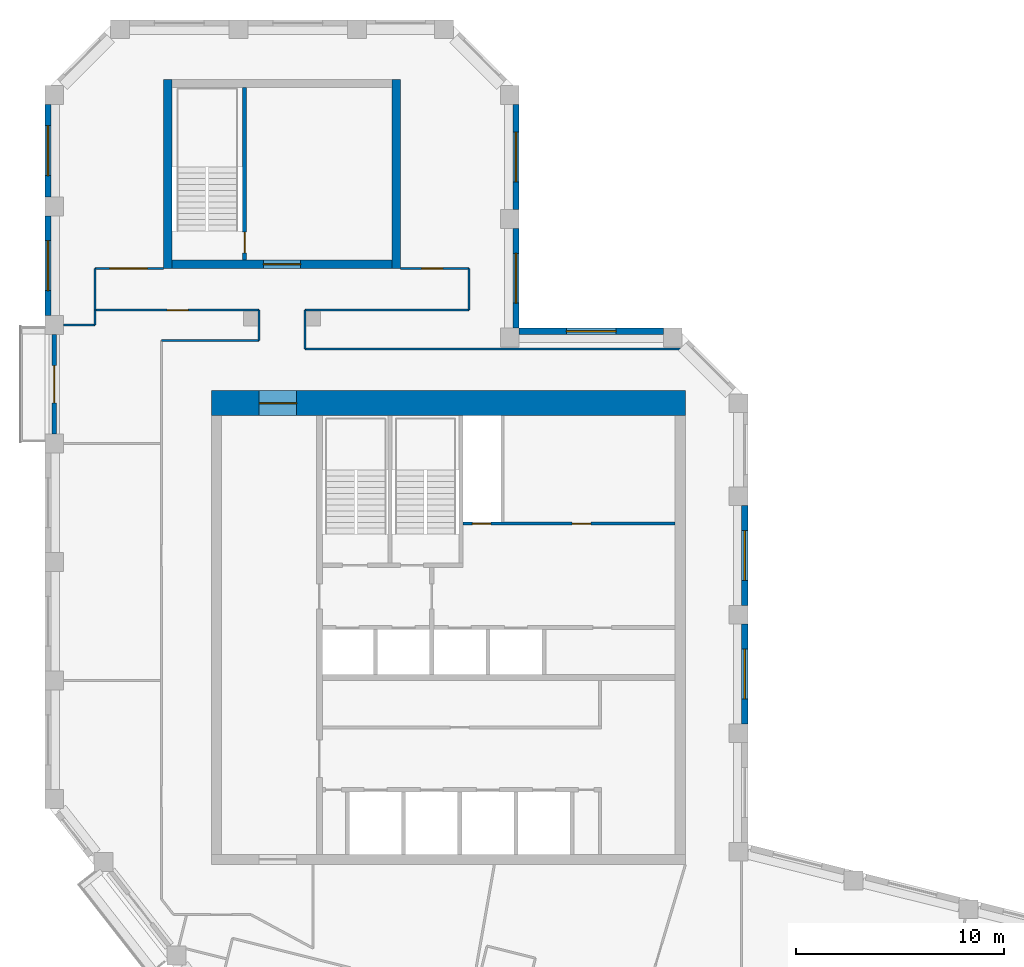
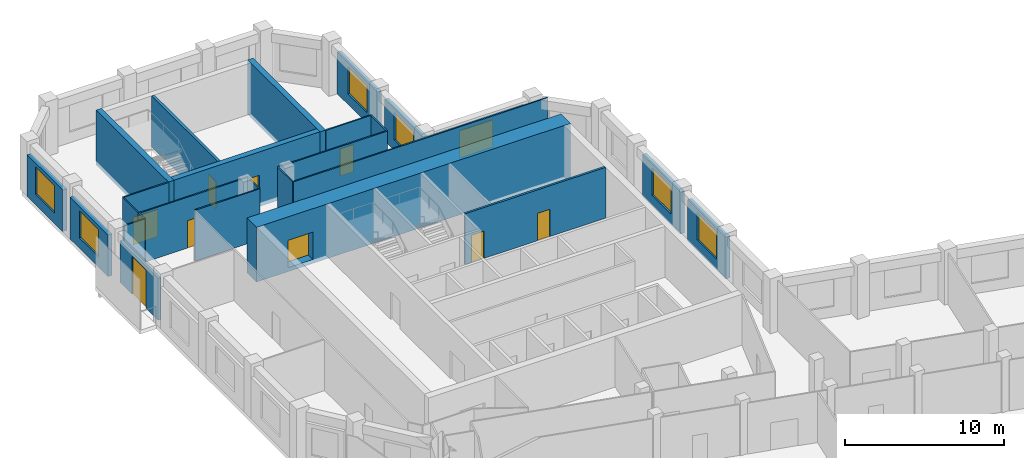
# One storey, part 6 of 8: 26 walls, 9 doors, 7 windows, 16 openings.
"""IFC4 building model written with IfcOpenShell, lengths in metres."""

from ifc_helpers import new_model, si_unit, direction, frame, frame_2d, origin, place, context, subcontext, project, spatial, rectangle, extrude, material, layer, layer_set, type_object, element, fill, save


model = new_model("IFC4")

# Units and contexts
model_context = context("Model", 3, precision=1e-05, world=origin(), true_north=direction((0.0, 1.0)))
body_context = subcontext(model_context, "Body", "Model", "MODEL_VIEW")
ifc_project = project(units=[si_unit("LENGTHUNIT", "METRE"), si_unit("AREAUNIT", "SQUARE_METRE"), si_unit("VOLUMEUNIT", "CUBIC_METRE"), si_unit("PLANEANGLEUNIT", "RADIAN"), si_unit("MASSUNIT", "GRAM", prefix="KILO")], contexts=[model_context])

# Site, building, storey
site_placement = place(None, origin())
site = spatial("IfcSite", under=ifc_project, at=site_placement, CompositionType="ELEMENT")
building_placement = place(site_placement, origin())
building = spatial("IfcBuilding", under=site, at=building_placement, Name="Meshkara Civic Tower", CompositionType="ELEMENT")
storey_placement = place(building_placement, frame((0.0, 0.0, 379.199951171875)))
storey = spatial("IfcBuildingStorey", under=building, at=storey_placement, Name="L87", CompositionType="ELEMENT", Elevation=379.199951171875)

# Wall, openings, doors
ifc_material_1 = material(Name="Blockwork", Category="masonry")
ifc_layer_1 = layer(ifc_material_1, 0.14990234375)
ifc_layer_set_1 = layer_set([ifc_layer_1], Name="Core partition 150")
wall_type_1 = type_object("IfcWallType", Name="Core partition 150", PredefinedType="PARTITIONING", material=ifc_layer_set_1)
wall_1_placement = place(storey_placement, frame((20.10009765625, 30.5, 0.0), z_axis=(0.0, 0.0, 1.0), x_axis=(1.0, 0.0, 0.0)))
wall_1 = element("IfcWall", 1, at=wall_1_placement, inside=storey, type_object=wall_type_1, Name="L87-C010", PredefinedType="PARTITIONING", context=body_context, shape_type="SweptSolid", body=[
    extrude(rectangle(XDim=10.199951171875, YDim=0.14990234375, at=frame_2d((5.10009765625, 0.0))), origin(), (0.0, 0.0, 1.0), 3.900146484375),
])
opening_1_placement = place(wall_1_placement, frame((0.449951171875, 0.0, 0.0)))
opening_1 = element("IfcOpeningElement", 2, at=opening_1_placement, cuts=wall_1, Name="Opening L87-K013", PredefinedType="OPENING", context=body_context, shape_type="SweptSolid", body=[
    extrude(rectangle(XDim=0.89990234375, YDim=2.10009765625, at=frame_2d((0.449951171875, 1.050048828125))), frame((0.0, 0.0849609375, 0.0), z_axis=(0.0, -1.0, 0.0), x_axis=(1.0, 0.0, 0.0)), (0.0, 0.0, 1.0), 0.169921875),
])
opening_2_placement = place(wall_1_placement, frame((5.25, 0.0, 0.0)))
opening_2 = element("IfcOpeningElement", 3, at=opening_2_placement, cuts=wall_1, Name="Opening L87-K014", PredefinedType="OPENING", context=body_context, shape_type="SweptSolid", body=[
    extrude(rectangle(XDim=0.89990234375, YDim=2.10009765625, at=frame_2d((0.449951171875, 1.050048828125))), frame((0.0, 0.0849609375, 0.0), z_axis=(0.0, -1.0, 0.0), x_axis=(1.0, 0.0, 0.0)), (0.0, 0.0, 1.0), 0.169921875),
])
ifc_material_2 = material(Name="Timber door leaf in steel frame", Category="steel")
door_type_1 = type_object("IfcDoorType", Name="Core room door 900", OperationType="SINGLE_SWING_LEFT", PredefinedType="DOOR", material=ifc_material_2)
door_1_placement = place(opening_2_placement, origin())
door_1 = element("IfcDoor", 4, at=door_1_placement, inside=storey, type_object=door_type_1, Name="L87-K014", OperationType="SINGLE_SWING_LEFT", OverallHeight=2.10009765625, OverallWidth=0.89990234375, PredefinedType="DOOR", context=body_context, shape_type="SweptSolid", body=[
    extrude(rectangle(XDim=0.89990234375, YDim=2.10009765625, at=frame_2d((0.449951171875, 1.050048828125))), frame((0.0, 0.02490234375, 0.0), z_axis=(0.0, -1.0, 0.0), x_axis=(1.0, 0.0, 0.0)), (0.0, 0.0, 1.0), 0.050048828125),
])
fill(opening_2, door_1)
ifc_material_3 = material(Name="Fire-rated door leaf in steel frame", Category="steel")
door_type_2 = type_object("IfcDoorType", Name="Riser door 900", OperationType="SINGLE_SWING_LEFT", PredefinedType="DOOR", material=ifc_material_3)
door_2_placement = place(opening_1_placement, origin())
door_2 = element("IfcDoor", 5, at=door_2_placement, inside=storey, type_object=door_type_2, Name="L87-K013", OperationType="SINGLE_SWING_RIGHT", OverallHeight=2.10009765625, OverallWidth=0.89990234375, PredefinedType="DOOR", context=body_context, shape_type="SweptSolid", body=[
    extrude(rectangle(XDim=0.89990234375, YDim=2.10009765625, at=frame_2d((0.449951171875, 1.050048828125))), frame((0.0, 0.02490234375, 0.0), z_axis=(0.0, -1.0, 0.0), x_axis=(1.0, 0.0, 0.0)), (0.0, 0.0, 1.0), 0.050048828125),
])
fill(opening_1, door_2)

# Wall, opening, door
ifc_material_4 = material(Name="Concrete C50", Category="concrete")
ifc_layer_2 = layer(ifc_material_4, 1.199951171875)
ifc_layer_set_2 = layer_set([ifc_layer_2], Name="Core ring wall 1200 C50")
wall_type_2 = type_object("IfcWallType", Name="Core ring wall 1200 C50", PredefinedType="SHEAR", material=ifc_layer_set_2)
wall_2_placement = place(storey_placement, frame((8.0, 36.300048828125, -0.300048828125), z_axis=(0.0, 0.0, 1.0), x_axis=(1.0, 0.0, 0.0)))
wall_2 = element("IfcWall", 6, at=wall_2_placement, inside=storey, type_object=wall_type_2, Name="L87-C002", PredefinedType="SHEAR", context=body_context, shape_type="SweptSolid", body=[
    extrude(rectangle(XDim=22.800048828125, YDim=1.199951171875, at=frame_2d((11.39990234375, 0.0))), origin(), (0.0, 0.0, 1.0), 4.2001953125),
])
opening_3_placement = place(wall_2_placement, frame((2.300048828125, 0.0, 0.300048828125)))
opening_3 = element("IfcOpeningElement", 7, at=opening_3_placement, cuts=wall_2, Name="Opening L87-K020", PredefinedType="OPENING", context=body_context, shape_type="SweptSolid", body=[
    extrude(rectangle(XDim=1.800048828125, YDim=2.10009765625, at=frame_2d((0.89990234375, 1.050048828125))), frame((0.0, 0.60986328125, 0.0), z_axis=(0.0, -1.0, 0.0), x_axis=(1.0, 0.0, 0.0)), (0.0, 0.0, 1.0), 1.219970703125),
])
ifc_material_5 = material(Name="Fire-rated door leaf in steel frame", Category="steel")
door_type_3 = type_object("IfcDoorType", Name="Core double door 1800 EI 60", OperationType="DOUBLE_DOOR_SINGLE_SWING", PredefinedType="DOOR", material=ifc_material_5)
door_3_placement = place(opening_3_placement, origin())
door_3 = element("IfcDoor", 8, at=door_3_placement, inside=storey, type_object=door_type_3, Name="L87-K020", OperationType="DOUBLE_DOOR_SINGLE_SWING", OverallHeight=2.10009765625, OverallWidth=1.800048828125, PredefinedType="DOOR", context=body_context, shape_type="SweptSolid", body=[
    extrude(rectangle(XDim=1.800048828125, YDim=2.10009765625, at=frame_2d((0.89990234375, 1.050048828125))), frame((0.0, 0.02490234375, 0.0), z_axis=(0.0, -1.0, 0.0), x_axis=(1.0, 0.0, 0.0)), (0.0, 0.0, 1.0), 0.050048828125),
])
fill(opening_3, door_3)

ifc_material_6 = material(Name="Corridor wall 100")
ifc_layer_3 = layer(ifc_material_6, 0.10009765625)
ifc_layer_set_3 = layer_set([ifc_layer_3], Name="Corridor wall 100")
wall_type_3 = type_object("IfcWallType", Name="Corridor wall 100", PredefinedType="PARTITIONING", material=ifc_layer_set_3)
wall_3_placement = place(storey_placement, frame((2.39990234375, 40.77001953125, 0.0), z_axis=(0.0, 0.0, 1.0), x_axis=(1.0, 0.0, 0.0)))
wall_3 = element("IfcWall", 9, at=wall_3_placement, inside=storey, type_object=wall_type_3, Name="L87-W001", PredefinedType="PARTITIONING", context=body_context, shape_type="SweptSolid", body=[
    extrude(rectangle(XDim=7.900146484375, YDim=0.10009765625, at=frame_2d((3.9501953125, 0.0))), origin(), (0.0, 0.0, 1.0), 3.900146484375),
])
opening_4_placement = place(wall_3_placement, frame((3.47998046875, 0.0, 0.0)))
opening_4 = element("IfcOpeningElement", 10, at=opening_4_placement, cuts=wall_3, Name="Opening L87-D014", PredefinedType="OPENING", context=body_context, shape_type="SweptSolid", body=[
    extrude(rectangle(XDim=1.0, YDim=2.10009765625, at=frame_2d((0.5, 1.050048828125))), frame((0.0, 0.06005859375, 0.0), z_axis=(0.0, -1.0, 0.0), x_axis=(1.0, 0.0, 0.0)), (0.0, 0.0, 1.0), 0.1201171875),
])
ifc_material_7 = material(Name="Door 1000 x 2100")
door_type_4 = type_object("IfcDoorType", Name="Door 1000 x 2100", OperationType="SINGLE_SWING_LEFT", PredefinedType="DOOR", material=ifc_material_7)
door_4_placement = place(opening_4_placement, origin())
door_4 = element("IfcDoor", 11, at=door_4_placement, inside=storey, type_object=door_type_4, Name="L87-D014", OperationType="SINGLE_SWING_LEFT", OverallHeight=2.10009765625, OverallWidth=1.0, PredefinedType="DOOR", context=body_context, shape_type="SweptSolid", body=[
    extrude(rectangle(XDim=1.0, YDim=2.10009765625, at=frame_2d((0.5, 1.050048828125))), frame((0.0, 0.02490234375, 0.0), z_axis=(0.0, -1.0, 0.0), x_axis=(1.0, 0.0, 0.0)), (0.0, 0.0, 1.0), 0.050048828125),
])
fill(opening_4, door_4)

# Wall
wall_4_placement = place(storey_placement, frame((2.39990234375, 42.77001953125, 0.0), z_axis=(0.0, 0.0, 1.0), x_axis=(0.0, -1.0, 0.0)))
element("IfcWall", 12, at=wall_4_placement, inside=storey, type_object=wall_type_3, Name="L87-W002", PredefinedType="PARTITIONING", context=body_context, shape_type="SweptSolid", body=[
    extrude(rectangle(XDim=2.0, YDim=0.10009765625, at=frame_2d((1.0, 0.0))), origin(), (0.0, 0.0, 1.0), 3.900146484375),
])

# Wall, opening, door
wall_5_placement = place(storey_placement, frame((5.699951171875, 42.77001953125, 0.0), z_axis=(0.0, 0.0, 1.0), x_axis=(-1.0, 0.0, 0.0)))
wall_5 = element("IfcWall", 13, at=wall_5_placement, inside=storey, type_object=wall_type_3, Name="L87-W005", PredefinedType="PARTITIONING", context=body_context, shape_type="SweptSolid", body=[
    extrude(rectangle(XDim=3.300048828125, YDim=0.10009765625, at=frame_2d((1.64990234375, 0.0))), origin(), (0.0, 0.0, 1.0), 3.900146484375),
])
opening_5_placement = place(wall_5_placement, frame((0.780029296875, 0.0, 0.0)))
opening_5 = element("IfcOpeningElement", 14, at=opening_5_placement, cuts=wall_5, Name="Opening L87-D015", PredefinedType="OPENING", context=body_context, shape_type="SweptSolid", body=[
    extrude(rectangle(XDim=1.800048828125, YDim=2.10009765625, at=frame_2d((0.89990234375, 1.050048828125))), frame((0.0, 0.06005859375, 0.0), z_axis=(0.0, -1.0, 0.0), x_axis=(1.0, 0.0, 0.0)), (0.0, 0.0, 1.0), 0.1201171875),
])
ifc_material_8 = material(Name="Door pair 1800 x 2100")
door_type_5 = type_object("IfcDoorType", Name="Door pair 1800 x 2100", OperationType="SINGLE_SWING_LEFT", PredefinedType="DOOR", material=ifc_material_8)
door_5_placement = place(opening_5_placement, origin())
door_5 = element("IfcDoor", 15, at=door_5_placement, inside=storey, type_object=door_type_5, Name="L87-D015", OperationType="DOUBLE_DOOR_SINGLE_SWING", OverallHeight=2.10009765625, OverallWidth=1.800048828125, PredefinedType="DOOR", context=body_context, shape_type="SweptSolid", body=[
    extrude(rectangle(XDim=1.800048828125, YDim=2.10009765625, at=frame_2d((0.89990234375, 1.050048828125))), frame((0.0, 0.02490234375, 0.0), z_axis=(0.0, -1.0, 0.0), x_axis=(1.0, 0.0, 0.0)), (0.0, 0.0, 1.0), 0.050048828125),
])
fill(opening_5, door_5)

# Walls
wall_6_placement = place(storey_placement, frame((10.300048828125, 39.300048828125, 0.0), z_axis=(0.0, 0.0, 1.0), x_axis=(-1.0, 0.0, 0.0)))
element("IfcWall", 16, at=wall_6_placement, inside=storey, type_object=wall_type_3, Name="L87-W010", PredefinedType="PARTITIONING", context=body_context, shape_type="SweptSolid", body=[
    extrude(rectangle(XDim=4.699951171875, YDim=0.10009765625, at=frame_2d((2.35009765625, 0.0))), origin(), (0.0, 0.0, 1.0), 3.900146484375),
])
wall_7_placement = place(storey_placement, frame((10.300048828125, 40.77001953125, 0.0), z_axis=(0.0, 0.0, 1.0), x_axis=(0.0, -1.0, 0.0)))
element("IfcWall", 17, at=wall_7_placement, inside=storey, type_object=wall_type_3, Name="L87-W011", PredefinedType="PARTITIONING", context=body_context, shape_type="SweptSolid", body=[
    extrude(rectangle(XDim=1.469970703125, YDim=0.10009765625, at=frame_2d((0.73486328125, 0.0))), origin(), (0.0, 0.0, 1.0), 3.900146484375),
])
wall_8_placement = place(storey_placement, frame((12.5, 38.89990234375, 0.0), z_axis=(0.0, 0.0, 1.0), x_axis=(0.0, 1.0, 0.0)))
element("IfcWall", 18, at=wall_8_placement, inside=storey, type_object=wall_type_3, Name="L87-W012", PredefinedType="PARTITIONING", context=body_context, shape_type="SweptSolid", body=[
    extrude(rectangle(XDim=1.8701171875, YDim=0.10009765625, at=frame_2d((0.93505859375, 0.0))), origin(), (0.0, 0.0, 1.0), 3.900146484375),
])
wall_9_placement = place(storey_placement, frame((12.5, 40.77001953125, 0.0), z_axis=(0.0, 0.0, 1.0), x_axis=(1.0, 0.0, 0.0)))
element("IfcWall", 19, at=wall_9_placement, inside=storey, type_object=wall_type_3, Name="L87-W013", PredefinedType="PARTITIONING", context=body_context, shape_type="SweptSolid", body=[
    extrude(rectangle(XDim=7.89990234375, YDim=0.10009765625, at=frame_2d((3.949951171875, 0.0))), origin(), (0.0, 0.0, 1.0), 3.900146484375),
])
wall_10_placement = place(storey_placement, frame((20.39990234375, 40.77001953125, 0.0), z_axis=(0.0, 0.0, 1.0), x_axis=(0.0, 1.0, 0.0)))
element("IfcWall", 20, at=wall_10_placement, inside=storey, type_object=wall_type_3, Name="L87-W016", PredefinedType="PARTITIONING", context=body_context, shape_type="SweptSolid", body=[
    extrude(rectangle(XDim=2.0, YDim=0.10009765625, at=frame_2d((1.0, 0.0))), origin(), (0.0, 0.0, 1.0), 3.900146484375),
])

# Wall, opening, door
wall_11_placement = place(storey_placement, frame((20.39990234375, 42.77001953125, 0.0), z_axis=(0.0, 0.0, 1.0), x_axis=(-1.0, 0.0, 0.0)))
wall_11 = element("IfcWall", 21, at=wall_11_placement, inside=storey, type_object=wall_type_3, Name="L87-W017", PredefinedType="PARTITIONING", context=body_context, shape_type="SweptSolid", body=[
    extrude(rectangle(XDim=3.2998046875, YDim=0.10009765625, at=frame_2d((1.64990234375, 0.0))), origin(), (0.0, 0.0, 1.0), 3.900146484375),
])
opening_6_placement = place(wall_11_placement, frame((1.280029296875, 0.0, 0.0)))
opening_6 = element("IfcOpeningElement", 22, at=opening_6_placement, cuts=wall_11, Name="Opening L87-D016", PredefinedType="OPENING", context=body_context, shape_type="SweptSolid", body=[
    extrude(rectangle(XDim=1.0, YDim=2.10009765625, at=frame_2d((0.5, 1.050048828125))), frame((0.0, 0.06005859375, 0.0), z_axis=(0.0, -1.0, 0.0), x_axis=(1.0, 0.0, 0.0)), (0.0, 0.0, 1.0), 0.1201171875),
])
door_6_placement = place(opening_6_placement, origin())
door_6 = element("IfcDoor", 23, at=door_6_placement, inside=storey, type_object=door_type_4, Name="L87-D016", OperationType="SINGLE_SWING_LEFT", OverallHeight=2.10009765625, OverallWidth=1.0, PredefinedType="DOOR", context=body_context, shape_type="SweptSolid", body=[
    extrude(rectangle(XDim=1.0, YDim=2.10009765625, at=frame_2d((0.5, 1.050048828125))), frame((0.0, 0.02490234375, 0.0), z_axis=(0.0, -1.0, 0.0), x_axis=(1.0, 0.0, 0.0)), (0.0, 0.0, 1.0), 0.050048828125),
])
fill(opening_6, door_6)

# Wall
wall_12_placement = place(storey_placement, frame((30.9560546875, 38.89990234375, 0.0), z_axis=(0.0, 0.0, 1.0), x_axis=(-1.0, 0.0, 0.0)))
element("IfcWall", 24, at=wall_12_placement, inside=storey, type_object=wall_type_3, Name="L87-W023", PredefinedType="PARTITIONING", context=body_context, shape_type="SweptSolid", body=[
    extrude(rectangle(XDim=18.4560546875, YDim=0.10009765625, at=frame_2d((9.22802734375, 0.0))), origin(), (0.0, 0.0, 1.0), 3.900146484375),
])

# Wall, opening, window
ifc_material_9 = material(Name="Insulated infill panel with bronze anodised aluminium cladding", Category="aluminium")
ifc_layer_4 = layer(ifc_material_9, 0.300048828125)
ifc_layer_set_4 = layer_set([ifc_layer_4], Name="EXTERNAL INFILL WALL 300")
wall_type_4 = type_object("IfcWallType", Name="EXTERNAL INFILL WALL 300", PredefinedType="SOLIDWALL", material=ifc_layer_set_4)
wall_13_placement = place(storey_placement, frame((33.64990234375, 20.868896484375, 0.0), z_axis=(0.0, 0.0, 1.0), x_axis=(0.0, 1.0, 0.0)))
wall_13 = element("IfcWall", 25, at=wall_13_placement, inside=storey, type_object=wall_type_4, Name="External wall", PredefinedType="SOLIDWALL", context=body_context, shape_type="SweptSolid", body=[
    extrude(rectangle(XDim=4.800048828125, YDim=0.300048828125, at=frame_2d((2.39990234375, 0.0))), origin(), (0.0, 0.0, 1.0), 3.199951171875),
])
opening_7_placement = place(wall_13_placement, frame((1.199951171875, 0.0, 0.800048828125)))
opening_7 = element("IfcOpeningElement", 26, at=opening_7_placement, cuts=wall_13, Name="Opening W7", PredefinedType="OPENING", context=body_context, shape_type="SweptSolid", body=[
    extrude(rectangle(XDim=2.39990234375, YDim=2.10009765625, at=frame_2d((1.199951171875, 1.050048828125))), frame((0.0, 0.159912109375, 0.0), z_axis=(0.0, -1.0, 0.0), x_axis=(1.0, 0.0, 0.0)), (0.0, 0.0, 1.0), 0.320068359375),
])
ifc_material_10 = material(Name="Tinted double glazing", Category="glass")
window_type = type_object("IfcWindowType", Name="WINDOW 2400x2100", PartitioningType="DOUBLE_PANEL_VERTICAL", PredefinedType="WINDOW", material=ifc_material_10)
window_1_placement = place(opening_7_placement, origin())
window_1 = element("IfcWindow", 27, at=window_1_placement, inside=storey, type_object=window_type, Name="Window", OverallHeight=2.10009765625, OverallWidth=2.39990234375, PartitioningType="DOUBLE_PANEL_VERTICAL", PredefinedType="WINDOW", context=body_context, shape_type="SweptSolid", body=[
    extrude(rectangle(XDim=2.39990234375, YDim=2.10009765625, at=frame_2d((1.199951171875, 1.050048828125))), frame((0.0, 0.030029296875, 0.0), z_axis=(0.0, -1.0, 0.0), x_axis=(1.0, 0.0, 0.0)), (0.0, 0.0, 1.0), 0.06005859375),
])
fill(opening_7, window_1)

wall_14_placement = place(storey_placement, frame((33.64990234375, 26.569091796875, 0.0), z_axis=(0.0, 0.0, 1.0), x_axis=(0.0, 1.0, 0.0)))
wall_14 = element("IfcWall", 28, at=wall_14_placement, inside=storey, type_object=wall_type_4, Name="External wall", PredefinedType="SOLIDWALL", context=body_context, shape_type="SweptSolid", body=[
    extrude(rectangle(XDim=4.7998046875, YDim=0.300048828125, at=frame_2d((2.39990234375, 0.0))), origin(), (0.0, 0.0, 1.0), 3.199951171875),
])
opening_8_placement = place(wall_14_placement, frame((1.199951171875, 0.0, 0.800048828125)))
opening_8 = element("IfcOpeningElement", 29, at=opening_8_placement, cuts=wall_14, Name="Opening W7", PredefinedType="OPENING", context=body_context, shape_type="SweptSolid", body=[
    extrude(rectangle(XDim=2.39990234375, YDim=2.10009765625, at=frame_2d((1.199951171875, 1.050048828125))), frame((0.0, 0.159912109375, 0.0), z_axis=(0.0, -1.0, 0.0), x_axis=(1.0, 0.0, 0.0)), (0.0, 0.0, 1.0), 0.320068359375),
])
window_2_placement = place(opening_8_placement, origin())
window_2 = element("IfcWindow", 30, at=window_2_placement, inside=storey, type_object=window_type, Name="Window", OverallHeight=2.10009765625, OverallWidth=2.39990234375, PartitioningType="DOUBLE_PANEL_VERTICAL", PredefinedType="WINDOW", context=body_context, shape_type="SweptSolid", body=[
    extrude(rectangle(XDim=2.39990234375, YDim=2.10009765625, at=frame_2d((1.199951171875, 1.050048828125))), frame((0.0, 0.030029296875, 0.0), z_axis=(0.0, -1.0, 0.0), x_axis=(1.0, 0.0, 0.0)), (0.0, 0.0, 1.0), 0.06005859375),
])
fill(opening_8, window_2)

wall_15_placement = place(storey_placement, frame((29.743896484375, 39.75, 0.0), z_axis=(0.0, 0.0, 1.0), x_axis=(-1.0, 0.0, 0.0)))
wall_15 = element("IfcWall", 31, at=wall_15_placement, inside=storey, type_object=wall_type_4, Name="External wall", PredefinedType="SOLIDWALL", context=body_context, shape_type="SweptSolid", body=[
    extrude(rectangle(XDim=6.94384765625, YDim=0.300048828125, at=frame_2d((3.471923828125, 0.0))), origin(), (0.0, 0.0, 1.0), 3.199951171875),
])
opening_9_placement = place(wall_15_placement, frame((2.27197265625, 0.0, 0.800048828125)))
opening_9 = element("IfcOpeningElement", 32, at=opening_9_placement, cuts=wall_15, Name="Opening W7", PredefinedType="OPENING", context=body_context, shape_type="SweptSolid", body=[
    extrude(rectangle(XDim=2.39990234375, YDim=2.10009765625, at=frame_2d((1.199951171875, 1.050048828125))), frame((0.0, 0.159912109375, 0.0), z_axis=(0.0, -1.0, 0.0), x_axis=(1.0, 0.0, 0.0)), (0.0, 0.0, 1.0), 0.320068359375),
])
window_3_placement = place(opening_9_placement, origin())
window_3 = element("IfcWindow", 33, at=window_3_placement, inside=storey, type_object=window_type, Name="Window", OverallHeight=2.10009765625, OverallWidth=2.39990234375, PartitioningType="DOUBLE_PANEL_VERTICAL", PredefinedType="WINDOW", context=body_context, shape_type="SweptSolid", body=[
    extrude(rectangle(XDim=2.39990234375, YDim=2.10009765625, at=frame_2d((1.199951171875, 1.050048828125))), frame((0.0, 0.030029296875, 0.0), z_axis=(0.0, -1.0, 0.0), x_axis=(1.0, 0.0, 0.0)), (0.0, 0.0, 1.0), 0.06005859375),
])
fill(opening_9, window_3)

wall_16_placement = place(storey_placement, frame((22.64990234375, 39.89990234375, 0.0), z_axis=(0.0, 0.0, 1.0), x_axis=(0.0, 1.0, 0.0)))
wall_16 = element("IfcWall", 34, at=wall_16_placement, inside=storey, type_object=wall_type_4, Name="External wall", PredefinedType="SOLIDWALL", context=body_context, shape_type="SweptSolid", body=[
    extrude(rectangle(XDim=4.800048828125, YDim=0.300048828125, at=frame_2d((2.39990234375, 0.0))), origin(), (0.0, 0.0, 1.0), 3.199951171875),
])
opening_10_placement = place(wall_16_placement, frame((1.199951171875, 0.0, 0.800048828125)))
opening_10 = element("IfcOpeningElement", 35, at=opening_10_placement, cuts=wall_16, Name="Opening W7", PredefinedType="OPENING", context=body_context, shape_type="SweptSolid", body=[
    extrude(rectangle(XDim=2.39990234375, YDim=2.10009765625, at=frame_2d((1.199951171875, 1.050048828125))), frame((0.0, 0.159912109375, 0.0), z_axis=(0.0, -1.0, 0.0), x_axis=(1.0, 0.0, 0.0)), (0.0, 0.0, 1.0), 0.320068359375),
])
window_4_placement = place(opening_10_placement, origin())
window_4 = element("IfcWindow", 36, at=window_4_placement, inside=storey, type_object=window_type, Name="Window", OverallHeight=2.10009765625, OverallWidth=2.39990234375, PartitioningType="DOUBLE_PANEL_VERTICAL", PredefinedType="WINDOW", context=body_context, shape_type="SweptSolid", body=[
    extrude(rectangle(XDim=2.39990234375, YDim=2.10009765625, at=frame_2d((1.199951171875, 1.050048828125))), frame((0.0, 0.030029296875, 0.0), z_axis=(0.0, -1.0, 0.0), x_axis=(1.0, 0.0, 0.0)), (0.0, 0.0, 1.0), 0.06005859375),
])
fill(opening_10, window_4)

wall_17_placement = place(storey_placement, frame((22.64990234375, 45.60009765625, 0.0), z_axis=(0.0, 0.0, 1.0), x_axis=(0.0, 1.0, 0.0)))
wall_17 = element("IfcWall", 37, at=wall_17_placement, inside=storey, type_object=wall_type_4, Name="External wall", PredefinedType="SOLIDWALL", context=body_context, shape_type="SweptSolid", body=[
    extrude(rectangle(XDim=5.06396484375, YDim=0.300048828125, at=frame_2d((2.531982421875, 0.0))), origin(), (0.0, 0.0, 1.0), 3.199951171875),
])
opening_11_placement = place(wall_17_placement, frame((1.33203125, 0.0, 0.800048828125)))
opening_11 = element("IfcOpeningElement", 38, at=opening_11_placement, cuts=wall_17, Name="Opening W7", PredefinedType="OPENING", context=body_context, shape_type="SweptSolid", body=[
    extrude(rectangle(XDim=2.39990234375, YDim=2.10009765625, at=frame_2d((1.199951171875, 1.050048828125))), frame((0.0, 0.159912109375, 0.0), z_axis=(0.0, -1.0, 0.0), x_axis=(1.0, 0.0, 0.0)), (0.0, 0.0, 1.0), 0.320068359375),
])
window_5_placement = place(opening_11_placement, origin())
window_5 = element("IfcWindow", 39, at=window_5_placement, inside=storey, type_object=window_type, Name="Window", OverallHeight=2.10009765625, OverallWidth=2.39990234375, PartitioningType="DOUBLE_PANEL_VERTICAL", PredefinedType="WINDOW", context=body_context, shape_type="SweptSolid", body=[
    extrude(rectangle(XDim=2.39990234375, YDim=2.10009765625, at=frame_2d((1.199951171875, 1.050048828125))), frame((0.0, 0.030029296875, 0.0), z_axis=(0.0, -1.0, 0.0), x_axis=(1.0, 0.0, 0.0)), (0.0, 0.0, 1.0), 0.06005859375),
])
fill(opening_11, window_5)

wall_18_placement = place(storey_placement, frame((0.14990234375, 50.6640625, 0.0), z_axis=(0.0, 0.0, 1.0), x_axis=(0.0, -1.0, 0.0)))
wall_18 = element("IfcWall", 40, at=wall_18_placement, inside=storey, type_object=wall_type_4, Name="External wall", PredefinedType="SOLIDWALL", context=body_context, shape_type="SweptSolid", body=[
    extrude(rectangle(XDim=4.458984375, YDim=0.300048828125, at=frame_2d((2.2294921875, 0.0))), origin(), (0.0, 0.0, 1.0), 3.199951171875),
])
opening_12_placement = place(wall_18_placement, frame((1.029052734375, 0.0, 0.800048828125)))
opening_12 = element("IfcOpeningElement", 41, at=opening_12_placement, cuts=wall_18, Name="Opening W7", PredefinedType="OPENING", context=body_context, shape_type="SweptSolid", body=[
    extrude(rectangle(XDim=2.39990234375, YDim=2.10009765625, at=frame_2d((1.199951171875, 1.050048828125))), frame((0.0, 0.159912109375, 0.0), z_axis=(0.0, -1.0, 0.0), x_axis=(1.0, 0.0, 0.0)), (0.0, 0.0, 1.0), 0.320068359375),
])
window_6_placement = place(opening_12_placement, origin())
window_6 = element("IfcWindow", 42, at=window_6_placement, inside=storey, type_object=window_type, Name="Window", OverallHeight=2.10009765625, OverallWidth=2.39990234375, PartitioningType="DOUBLE_PANEL_VERTICAL", PredefinedType="WINDOW", context=body_context, shape_type="SweptSolid", body=[
    extrude(rectangle(XDim=2.39990234375, YDim=2.10009765625, at=frame_2d((1.199951171875, 1.050048828125))), frame((0.0, 0.030029296875, 0.0), z_axis=(0.0, -1.0, 0.0), x_axis=(1.0, 0.0, 0.0)), (0.0, 0.0, 1.0), 0.06005859375),
])
fill(opening_12, window_6)

wall_19_placement = place(storey_placement, frame((0.14990234375, 45.304931640625, 0.0), z_axis=(0.0, 0.0, 1.0), x_axis=(0.0, -1.0, 0.0)))
wall_19 = element("IfcWall", 43, at=wall_19_placement, inside=storey, type_object=wall_type_4, Name="External wall", PredefinedType="SOLIDWALL", context=body_context, shape_type="SweptSolid", body=[
    extrude(rectangle(XDim=4.800048828125, YDim=0.300048828125, at=frame_2d((2.39990234375, 0.0))), origin(), (0.0, 0.0, 1.0), 3.199951171875),
])
opening_13_placement = place(wall_19_placement, frame((1.199951171875, 0.0, 0.800048828125)))
opening_13 = element("IfcOpeningElement", 44, at=opening_13_placement, cuts=wall_19, Name="Opening W7", PredefinedType="OPENING", context=body_context, shape_type="SweptSolid", body=[
    extrude(rectangle(XDim=2.39990234375, YDim=2.10009765625, at=frame_2d((1.199951171875, 1.050048828125))), frame((0.0, 0.159912109375, 0.0), z_axis=(0.0, -1.0, 0.0), x_axis=(1.0, 0.0, 0.0)), (0.0, 0.0, 1.0), 0.320068359375),
])
window_7_placement = place(opening_13_placement, origin())
window_7 = element("IfcWindow", 45, at=window_7_placement, inside=storey, type_object=window_type, Name="Window", OverallHeight=2.10009765625, OverallWidth=2.39990234375, PartitioningType="DOUBLE_PANEL_VERTICAL", PredefinedType="WINDOW", context=body_context, shape_type="SweptSolid", body=[
    extrude(rectangle(XDim=2.39990234375, YDim=2.10009765625, at=frame_2d((1.199951171875, 1.050048828125))), frame((0.0, 0.030029296875, 0.0), z_axis=(0.0, -1.0, 0.0), x_axis=(1.0, 0.0, 0.0)), (0.0, 0.0, 1.0), 0.06005859375),
])
fill(opening_13, window_7)

# Walls
ifc_material_11 = material(Name="Concrete C50", Category="concrete")
ifc_layer_5 = layer(ifc_material_11, 0.39990234375)
ifc_layer_set_5 = layer_set([ifc_layer_5], Name="End core ring wall 400 C50")
wall_type_5 = type_object("IfcWallType", Name="End core ring wall 400 C50", PredefinedType="SHEAR", material=ifc_layer_set_5)
for number, where, z_axis, x_axis, name in (
    (46, (5.89990234375, 42.77001953125, -0.300048828125), (0.0, 0.0, 1.0), (0.0, 1.0, 0.0), "L87-C026"),
    (47, (16.89990234375, 42.77001953125, -0.300048828125), (0.0, 0.0, 1.0), (0.0, 1.0, 0.0), "L87-C027"),
):
    element("IfcWall", number, at=place(storey_placement, frame(where, z_axis=z_axis, x_axis=x_axis)), inside=storey, type_object=wall_type_5, Name=name, PredefinedType="SHEAR", context=body_context, shape_type="SweptSolid", body=[
        extrude(rectangle(XDim=9.10009765625, YDim=0.39990234375, at=frame_2d((4.550048828125, 0.0))), origin(), (0.0, 0.0, 1.0), 4.2001953125),
    ])

# Wall, opening, door
wall_20_placement = place(storey_placement, frame((6.10009765625, 42.969970703125, -0.300048828125), z_axis=(0.0, 0.0, 1.0), x_axis=(1.0, 0.0, 0.0)))
wall_20 = element("IfcWall", 48, at=wall_20_placement, inside=storey, type_object=wall_type_5, Name="L87-C028", PredefinedType="SHEAR", context=body_context, shape_type="SweptSolid", body=[
    extrude(rectangle(XDim=10.599853515625, YDim=0.39990234375, at=frame_2d((5.2998046875, 0.0))), origin(), (0.0, 0.0, 1.0), 4.2001953125),
])
opening_14_placement = place(wall_20_placement, frame((4.39990234375, 0.0, 0.300048828125)))
opening_14 = element("IfcOpeningElement", 49, at=opening_14_placement, cuts=wall_20, Name="Opening L87-K102", PredefinedType="OPENING", context=body_context, shape_type="SweptSolid", body=[
    extrude(rectangle(XDim=1.800048828125, YDim=2.10009765625, at=frame_2d((0.89990234375, 1.050048828125))), frame((0.0, 0.2099609375, 0.0), z_axis=(0.0, -1.0, 0.0), x_axis=(1.0, 0.0, 0.0)), (0.0, 0.0, 1.0), 0.419921875),
])
door_7_placement = place(opening_14_placement, origin())
door_7 = element("IfcDoor", 50, at=door_7_placement, inside=storey, type_object=door_type_3, Name="L87-K102", OperationType="DOUBLE_DOOR_SINGLE_SWING", OverallHeight=2.10009765625, OverallWidth=1.800048828125, PredefinedType="DOOR", context=body_context, shape_type="SweptSolid", body=[
    extrude(rectangle(XDim=1.800048828125, YDim=2.10009765625, at=frame_2d((0.89990234375, 1.050048828125))), frame((0.0, 0.02490234375, 0.0), z_axis=(0.0, -1.0, 0.0), x_axis=(1.0, 0.0, 0.0)), (0.0, 0.0, 1.0), 0.050048828125),
])
fill(opening_14, door_7)

ifc_material_12 = material(Name="Insulated infill panel with bronze anodised aluminium cladding", Category="aluminium")
ifc_layer_6 = layer(ifc_material_12, 0.199951171875)
ifc_layer_set_6 = layer_set([ifc_layer_6], Name="LOGGIA BACK WALL 200")
wall_type_6 = type_object("IfcWallType", Name="LOGGIA BACK WALL 200", PredefinedType="SOLIDWALL", material=ifc_layer_set_6)
wall_21_placement = place(storey_placement, frame((0.449951171875, 39.60498046875, 0.0), z_axis=(0.0, 0.0, 1.0), x_axis=(0.0, -1.0, 0.0)))
wall_21 = element("IfcWall", 51, at=wall_21_placement, inside=storey, type_object=wall_type_6, Name="Loggia wall", PredefinedType="SOLIDWALL", context=body_context, shape_type="SweptSolid", body=[
    extrude(rectangle(XDim=4.800048828125, YDim=0.199951171875, at=frame_2d((2.39990234375, 0.0))), origin(), (0.0, 0.0, 1.0), 3.199951171875),
])
opening_15_placement = place(wall_21_placement, frame((1.5, 0.0, 0.0)))
opening_15 = element("IfcOpeningElement", 52, at=opening_15_placement, cuts=wall_21, Name="Opening L87-L001", PredefinedType="OPENING", context=body_context, shape_type="SweptSolid", body=[
    extrude(rectangle(XDim=1.800048828125, YDim=2.89990234375, at=frame_2d((0.89990234375, 1.449951171875))), frame((0.0, 0.10986328125, 0.0), z_axis=(0.0, -1.0, 0.0), x_axis=(1.0, 0.0, 0.0)), (0.0, 0.0, 1.0), 0.219970703125),
])
ifc_material_13 = material(Name="Tinted double glazing", Category="glass")
door_type_6 = type_object("IfcDoorType", Name="LOGGIA DOOR 1800x2900", OperationType="DOUBLE_DOOR_SINGLE_SWING", PredefinedType="DOOR", material=ifc_material_13)
door_8_placement = place(opening_15_placement, origin())
door_8 = element("IfcDoor", 53, at=door_8_placement, inside=storey, type_object=door_type_6, Name="L87-L001", OperationType="DOUBLE_DOOR_SINGLE_SWING", OverallHeight=2.89990234375, OverallWidth=1.800048828125, PredefinedType="DOOR", context=body_context, shape_type="SweptSolid", body=[
    extrude(rectangle(XDim=1.800048828125, YDim=2.89990234375, at=frame_2d((0.89990234375, 1.449951171875))), frame((0.0, 0.02490234375, 0.0), z_axis=(0.0, -1.0, 0.0), x_axis=(1.0, 0.0, 0.0)), (0.0, 0.0, 1.0), 0.050048828125),
])
fill(opening_15, door_8)

# Walls
ifc_material_14 = material(Name="Partition 100")
ifc_layer_7 = layer(ifc_material_14, 0.10009765625)
ifc_layer_set_7 = layer_set([ifc_layer_7], Name="Partition 100")
wall_type_7 = type_object("IfcWallType", Name="Partition 100", PredefinedType="PARTITIONING", material=ifc_layer_set_7)
wall_22_placement = place(storey_placement, frame((2.39990234375, 40.054931640625, 0.0), z_axis=(0.0, 0.0, 1.0), x_axis=(-1.0, 0.0, 0.0)))
element("IfcWall", 54, at=wall_22_placement, inside=storey, type_object=wall_type_7, Name="L87-W036", PredefinedType="PARTITIONING", context=body_context, shape_type="SweptSolid", body=[
    extrude(rectangle(XDim=1.5, YDim=0.10009765625, at=frame_2d((0.75, 0.0))), origin(), (0.0, 0.0, 1.0), 3.900146484375),
])
wall_23_placement = place(storey_placement, frame((2.39990234375, 40.77392578125, 0.0), z_axis=(0.0, 0.0, 1.0), x_axis=(0.0, -1.0, 0.0)))
element("IfcWall", 55, at=wall_23_placement, inside=storey, type_object=wall_type_7, Name="L87-W037", PredefinedType="PARTITIONING", context=body_context, shape_type="SweptSolid", body=[
    extrude(rectangle(XDim=0.718994140625, YDim=0.10009765625, at=frame_2d((0.359375, 0.0))), origin(), (0.0, 0.0, 1.0), 3.900146484375),
])

# Wall, opening, door
ifc_material_15 = material(Name="Concrete C40/50", Category="concrete")
ifc_layer_8 = layer(ifc_material_15, 0.199951171875)
ifc_layer_set_8 = layer_set([ifc_layer_8], Name="Stair enclosure wall 200 C40/50")
wall_type_8 = type_object("IfcWallType", Name="Stair enclosure wall 200 C40/50", PredefinedType="SOLIDWALL", material=ifc_layer_set_8)
wall_24_placement = place(storey_placement, frame((9.60009765625, 43.169921875, 0.0), z_axis=(0.0, 0.0, 1.0), x_axis=(0.0, 1.0, 0.0)))
wall_24 = element("IfcWall", 56, at=wall_24_placement, inside=storey, type_object=wall_type_8, Name="L87-C030", PredefinedType="SOLIDWALL", context=body_context, shape_type="SweptSolid", body=[
    extrude(rectangle(XDim=8.300048828125, YDim=0.199951171875, at=frame_2d((4.14990234375, 0.0))), origin(), (0.0, 0.0, 1.0), 3.900146484375),
])
opening_16_placement = place(wall_24_placement, frame((0.35009765625, 0.0, 0.0)))
opening_16 = element("IfcOpeningElement", 57, at=opening_16_placement, cuts=wall_24, Name="Opening L87-K101", PredefinedType="OPENING", context=body_context, shape_type="SweptSolid", body=[
    extrude(rectangle(XDim=1.0, YDim=2.10009765625, at=frame_2d((0.5, 1.050048828125))), frame((0.0, 0.10986328125, 0.0), z_axis=(0.0, -1.0, 0.0), x_axis=(1.0, 0.0, 0.0)), (0.0, 0.0, 1.0), 0.219970703125),
])
ifc_material_16 = material(Name="Fire-rated door leaf in steel frame", Category="steel")
door_type_7 = type_object("IfcDoorType", Name="Stair door 1000 EI 120", OperationType="SINGLE_SWING_LEFT", PredefinedType="DOOR", material=ifc_material_16)
door_9_placement = place(opening_16_placement, origin())
door_9 = element("IfcDoor", 58, at=door_9_placement, inside=storey, type_object=door_type_7, Name="L87-K101", OperationType="SINGLE_SWING_RIGHT", OverallHeight=2.10009765625, OverallWidth=1.0, PredefinedType="DOOR", context=body_context, shape_type="SweptSolid", body=[
    extrude(rectangle(XDim=1.0, YDim=2.10009765625, at=frame_2d((0.5, 1.050048828125))), frame((0.0, 0.02490234375, 0.0), z_axis=(0.0, -1.0, 0.0), x_axis=(1.0, 0.0, 0.0)), (0.0, 0.0, 1.0), 0.050048828125),
])
fill(opening_16, door_9)

save(model, "model.ifc")
